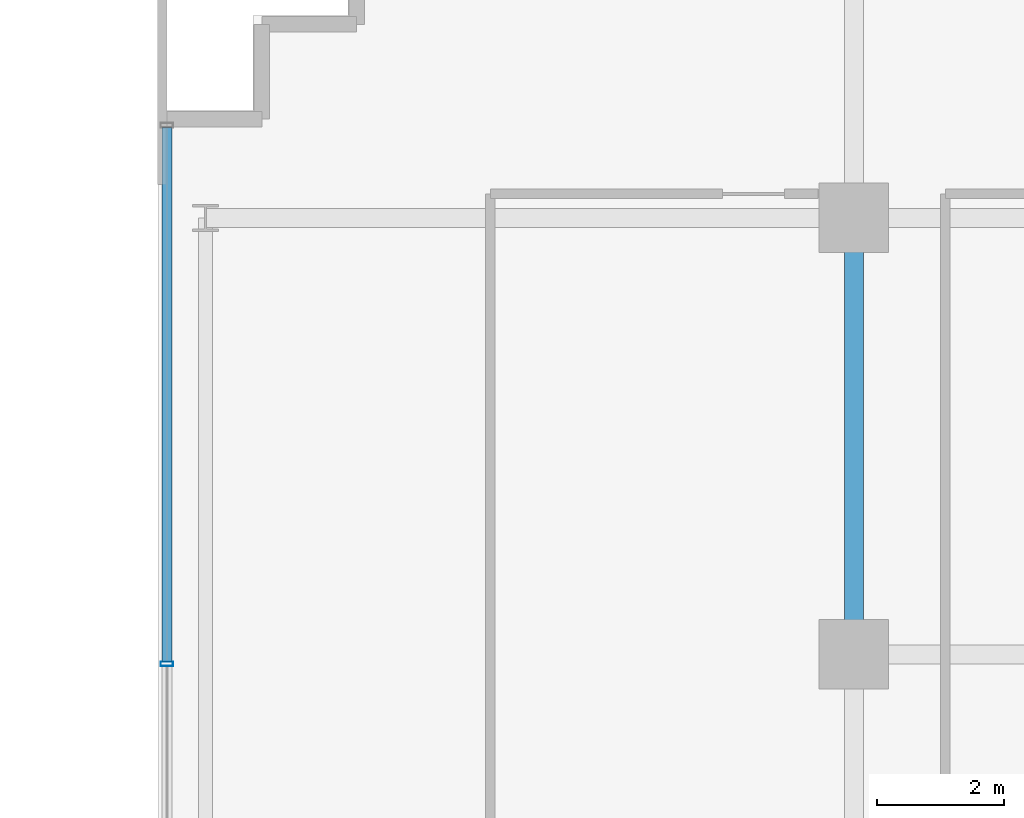
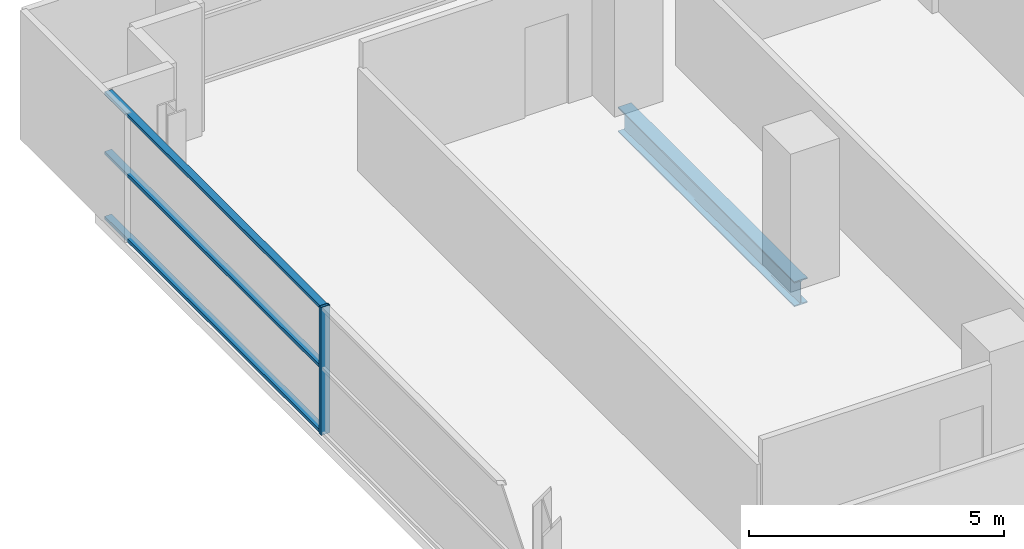
# One storey, part 7 of 30: 4 members, 1 beam, 1 element without a shape of its own.
"""IFC4 building model written with IfcOpenShell, lengths in metres."""

from ifc_helpers import new_model, si_unit, direction, frame, origin, origin_2d, place, context, subcontext, project, spatial, hollow_rectangle, i_section, extrude, source, transform, mapped, material, layer, layer_set, material_profile, profile_set, type_object, element, aggregate, save


model = new_model("IFC4")

# Units and contexts
model_context = context("Model", 3, precision=1e-05, world=origin(), true_north=direction((0.0, 1.0)))
body_context = subcontext(model_context, "Body", "Model", "MODEL_VIEW")
ifc_project = project(units=[si_unit("LENGTHUNIT", "METRE"), si_unit("AREAUNIT", "SQUARE_METRE"), si_unit("VOLUMEUNIT", "CUBIC_METRE"), si_unit("PLANEANGLEUNIT", "RADIAN"), si_unit("MASSUNIT", "GRAM", prefix="KILO")], contexts=[model_context])

# Site, building, storey
site_placement = place(None, origin())
site = spatial("IfcSite", under=ifc_project, at=site_placement, CompositionType="ELEMENT")
building_placement = place(site_placement, origin())
building = spatial("IfcBuilding", under=site, at=building_placement, Name="Zarnakvel Exchange Tower", CompositionType="ELEMENT")
storey_placement = place(building_placement, frame((0.0, 0.0, 40.60009765625)))
storey = spatial("IfcBuildingStorey", under=building, at=storey_placement, Name="L10", CompositionType="ELEMENT", Elevation=40.60009765625)

# Beam
ifc_material_1 = material(Name="Steel S355", Category="steel")
ifc_material_profile_1 = material_profile(ifc_material_1, i_section(OverallWidth=0.300048828125, OverallDepth=0.60009765625, WebThickness=0.015380859375, FlangeThickness=0.030029296875, FilletRadius=0.027099609375, at=origin_2d()))
ifc_profile_set_1 = profile_set([ifc_material_profile_1], Name="Steel S355")
beam_type = type_object("IfcBeamType", Name="G-04", PredefinedType="BEAM", material=ifc_profile_set_1)
beam_placement = place(storey_placement, frame((-21.60009765625, 6.60009765625, -0.525146484375), z_axis=(0.0, 1.0, 0.0), x_axis=(-1.0, 0.0, 0.0)))
element("IfcBeam", 1, at=beam_placement, inside=storey, type_object=beam_type, Name="L10 Tower N-S Frame Beam", PredefinedType="BEAM", context=body_context, shape_type="SweptSolid", body=[
    extrude(i_section(OverallWidth=0.300048828125, OverallDepth=0.60009765625, WebThickness=0.015380859375, FlangeThickness=0.030029296875, FilletRadius=0.027099609375, at=origin_2d()), origin(), (0.0, 0.0, 1.0), 6.89990234375),
])

# Curtain wall, members
ifc_material_2 = material(Name="Architectural Bronze Anodised Aluminium", Category="aluminium")
ifc_layer = layer(ifc_material_2, 0.199951171875)
ifc_layer_set = layer_set([ifc_layer], Name="Architectural Bronze Anodised Aluminium")
curtain_wall_type = type_object("IfcCurtainWallType", Name="CW-04", PredefinedType="NOTDEFINED", material=ifc_layer_set)
curtain_wall_placement = place(storey_placement, origin())
curtain_wall = element("IfcCurtainWall", 2, at=curtain_wall_placement, inside=storey, type_object=curtain_wall_type, Name="L10 Curtain Wall CW-L10-WN (CW-04)", PredefinedType="NOTDEFINED")
ifc_material_profile_2 = material_profile(ifc_material_2, hollow_rectangle(XDim=0.159912109375, YDim=0.074951171875, WallThickness=0.00390625, at=origin_2d()))
ifc_profile_set_2 = profile_set([ifc_material_profile_2], Name="Architectural Bronze Anodised Aluminium")
member_type_1 = type_object("IfcMemberType", Name="CWT-04", PredefinedType="USERDEFINED", material=ifc_profile_set_2)
shared_shape_1 = source(origin(), body_context, "Body", "SweptSolid", [
    extrude(hollow_rectangle(XDim=0.159912109375, YDim=0.074951171875, WallThickness=0.00390625, at=origin_2d()), origin(), (0.0, 0.0, 1.0), 8.4375),
])
member_1_placement = place(storey_placement, frame((-32.4599609375, 6.487548828125, 0.037353515625), z_axis=(0.0, 1.0, 0.0), x_axis=(-1.0, 0.0, 0.0)))
member_1 = element("IfcMember", 3, at=member_1_placement, type_object=member_type_1, Name="CW-04 transom 2.1", ObjectType="TRANSOM", PredefinedType="USERDEFINED", context=body_context, shape_type="MappedRepresentation", body=[
    mapped(shared_shape_1, transform((0.0, 0.0, 0.0), x_axis=(1.0, 0.0, 0.0), y_axis=(0.0, 1.0, 0.0), z_axis=(0.0, 0.0, 1.0), scale=1.0)),
])
member_2_placement = place(storey_placement, frame((-32.4599609375, 6.487548828125, 1.588623046875), z_axis=(0.0, 1.0, 0.0), x_axis=(-1.0, 0.0, 0.0)))
member_2 = element("IfcMember", 4, at=member_2_placement, type_object=member_type_1, Name="CW-04 transom 2.2", ObjectType="TRANSOM", PredefinedType="USERDEFINED", context=body_context, shape_type="MappedRepresentation", body=[
    mapped(shared_shape_1, transform((0.0, 0.0, 0.0), x_axis=(1.0, 0.0, 0.0), y_axis=(0.0, 1.0, 0.0), z_axis=(0.0, 0.0, 1.0), scale=1.0)),
])
member_3_placement = place(storey_placement, frame((-32.4599609375, 6.487548828125, 3.017333984375), z_axis=(0.0, 1.0, 0.0), x_axis=(-1.0, 0.0, 0.0)))
member_3 = element("IfcMember", 5, at=member_3_placement, type_object=member_type_1, Name="CW-04 transom 2.3", ObjectType="TRANSOM", PredefinedType="USERDEFINED", context=body_context, shape_type="MappedRepresentation", body=[
    mapped(shared_shape_1, transform((0.0, 0.0, 0.0), x_axis=(1.0, 0.0, 0.0), y_axis=(0.0, 1.0, 0.0), z_axis=(0.0, 0.0, 1.0), scale=1.0)),
])
ifc_material_profile_3 = material_profile(ifc_material_2, hollow_rectangle(XDim=0.199951171875, YDim=0.074951171875, WallThickness=0.0048828125, at=origin_2d()))
ifc_profile_set_3 = profile_set([ifc_material_profile_3], Name="Architectural Bronze Anodised Aluminium")
member_type_2 = type_object("IfcMemberType", Name="CWM-04", PredefinedType="MULLION", material=ifc_profile_set_3)
shared_shape_2 = source(origin(), body_context, "Body", "SweptSolid", [
    extrude(hollow_rectangle(XDim=0.199951171875, YDim=0.074951171875, WallThickness=0.0048828125, at=origin_2d()), origin(), (0.0, 0.0, 1.0), 3.054931640625),
])
member_4_placement = place(storey_placement, frame((-32.4599609375, 6.449951171875, 0.0), z_axis=(0.0, 0.0, 1.0), x_axis=(-1.0, 0.0, 0.0)))
member_4 = element("IfcMember", 6, at=member_4_placement, type_object=member_type_2, Name="CW-04 mullion 2", PredefinedType="MULLION", context=body_context, shape_type="MappedRepresentation", body=[
    mapped(shared_shape_2, transform((0.0, 0.0, 0.0), x_axis=(1.0, 0.0, 0.0), y_axis=(0.0, 1.0, 0.0), z_axis=(0.0, 0.0, 1.0), scale=1.0)),
])
aggregate(curtain_wall, [member_4, member_1, member_2, member_3])

save(model, "model.ifc")
